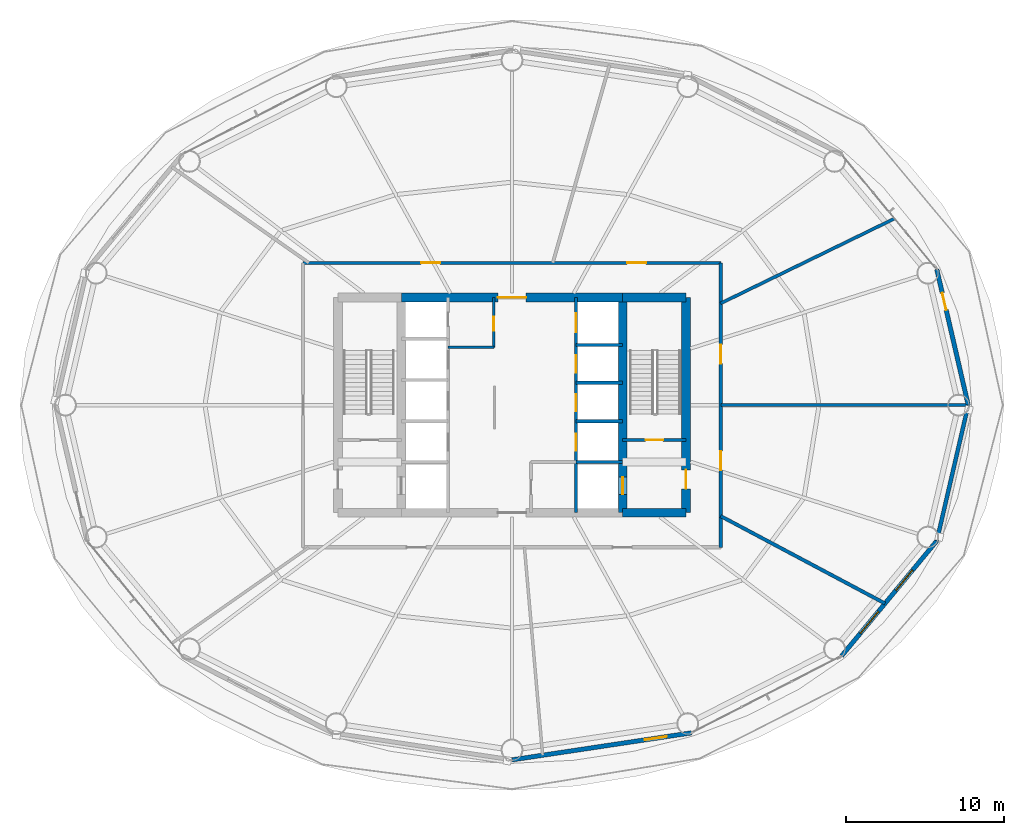
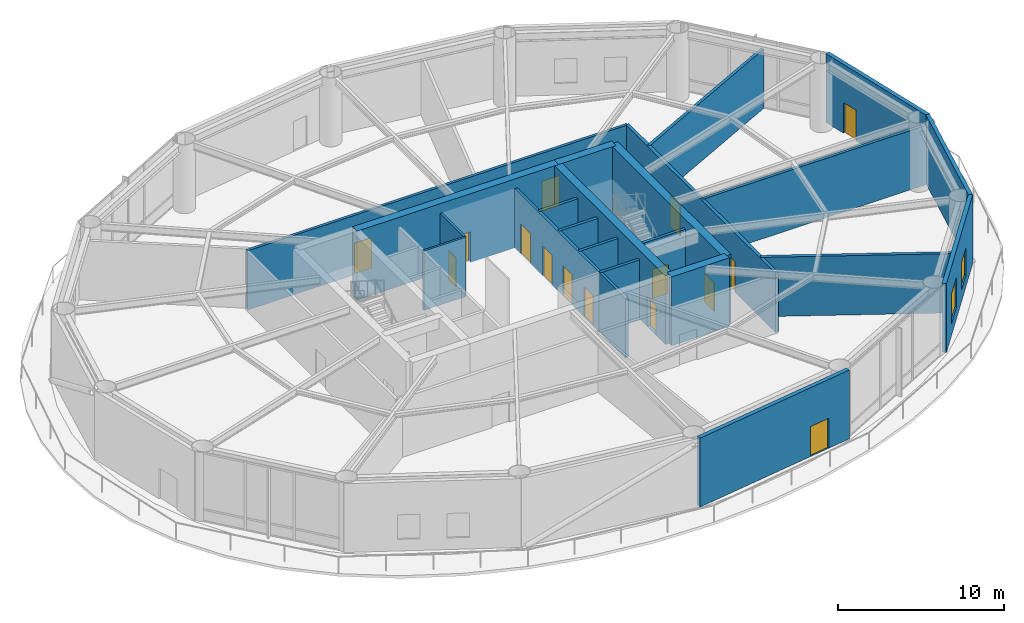
# One storey, part 21 of 25: 23 walls, 15 doors, 2 windows, 17 openings.
"""IFC4 building model written with IfcOpenShell, lengths in metres."""

from ifc_helpers import new_model, si_unit, direction, frame, frame_2d, origin, place, context, subcontext, project, spatial, rectangle, extrude, material, layer, layer_set, type_object, element, fill, save


model = new_model("IFC4")

# Units and contexts
model_context = context("Model", 3, precision=1e-05, world=origin(), true_north=direction((0.0, 1.0)))
body_context = subcontext(model_context, "Body", "Model", "MODEL_VIEW")
ifc_project = project(units=[si_unit("LENGTHUNIT", "METRE"), si_unit("AREAUNIT", "SQUARE_METRE"), si_unit("VOLUMEUNIT", "CUBIC_METRE"), si_unit("PLANEANGLEUNIT", "RADIAN"), si_unit("MASSUNIT", "GRAM", prefix="KILO")], contexts=[model_context])

# Site, building, storey
site_placement = place(None, origin())
site = spatial("IfcSite", under=ifc_project, at=site_placement, CompositionType="ELEMENT")
building_placement = place(site_placement, origin())
building = spatial("IfcBuilding", under=site, at=building_placement, Name="Sarneth Arch Tower", CompositionType="ELEMENT")
storey_placement = place(building_placement, frame((0.0, 0.0, 134.39990234375)))
storey = spatial("IfcBuildingStorey", under=building, at=storey_placement, Name="L34", CompositionType="ELEMENT", Elevation=134.39990234375)

# Wall
ifc_material_1 = material(Name="Concrete C60/75", Category="concrete")
ifc_layer_1 = layer(ifc_material_1, 0.550048828125)
ifc_layer_set_1 = layer_set([ifc_layer_1], Name="Concrete C60/75")
wall_type_1 = type_object("IfcWallType", Name="WALL-CORE-550", PredefinedType="SHEAR", material=ifc_layer_set_1)
wall_1_placement = place(storey_placement, frame((55.0, 35.199951171875, 0.0), z_axis=(0.0, 0.0, 1.0), x_axis=(1.0, 0.0, 0.0)))
element("IfcWall", 1, at=wall_1_placement, inside=storey, type_object=wall_type_1, Name="L34 Core shear wall S-E", PredefinedType="SHEAR", context=body_context, shape_type="SweptSolid", body=[
    extrude(rectangle(XDim=4.0, YDim=0.550048828125, at=frame_2d((2.0, 0.0))), origin(), (0.0, 0.0, 1.0), 5.050048828125),
])

# Wall, opening, door
wall_2_placement = place(storey_placement, frame((41.0, 48.800048828125, 0.0), z_axis=(0.0, 0.0, 1.0), x_axis=(1.0, 0.0, 0.0)))
wall_2 = element("IfcWall", 2, at=wall_2_placement, inside=storey, type_object=wall_type_1, Name="L34 Core shear wall N-M", PredefinedType="SHEAR", context=body_context, shape_type="SweptSolid", body=[
    extrude(rectangle(XDim=14.0, YDim=0.550048828125, at=frame_2d((7.0, 0.0))), origin(), (0.0, 0.0, 1.0), 5.050048828125),
])
opening_1_placement = place(wall_2_placement, frame((6.10009765625, 0.0, 0.0)))
opening_1 = element("IfcOpeningElement", 3, at=opening_1_placement, cuts=wall_2, Name="Opening FD-01", PredefinedType="OPENING", context=body_context, shape_type="SweptSolid", body=[
    extrude(rectangle(XDim=1.800048828125, YDim=2.25, at=frame_2d((0.89990234375, 1.125))), frame((0.0, 0.284912109375, 0.0), z_axis=(0.0, -1.0, 0.0), x_axis=(1.0, 0.0, 0.0)), (0.0, 0.0, 1.0), 0.570068359375),
])
ifc_material_2 = material(Name="Galvanised Steel S275 fire door set", Category="steel")
door_type_1 = type_object("IfcDoorType", Name="DR-FD90-1800", OperationType="DOUBLE_DOOR_SINGLE_SWING", PredefinedType="DOOR", material=ifc_material_2)
door_1_placement = place(opening_1_placement, origin())
door_1 = element("IfcDoor", 4, at=door_1_placement, inside=storey, type_object=door_type_1, Name="L34 Central lift lobby north door", OperationType="DOUBLE_DOOR_SINGLE_SWING", OverallHeight=2.25, OverallWidth=1.800048828125, PredefinedType="DOOR", context=body_context, shape_type="SweptSolid", body=[
    extrude(rectangle(XDim=1.800048828125, YDim=2.25, at=frame_2d((0.89990234375, 1.125))), frame((0.0, 0.02490234375, 0.0), z_axis=(0.0, -1.0, 0.0), x_axis=(1.0, 0.0, 0.0)), (0.0, 0.0, 1.0), 0.050048828125),
])
fill(opening_1, door_1)

# Wall
wall_3_placement = place(storey_placement, frame((55.0, 48.800048828125, 0.0), z_axis=(0.0, 0.0, 1.0), x_axis=(1.0, 0.0, 0.0)))
element("IfcWall", 5, at=wall_3_placement, inside=storey, type_object=wall_type_1, Name="L34 Core shear wall N-E", PredefinedType="SHEAR", context=body_context, shape_type="SweptSolid", body=[
    extrude(rectangle(XDim=4.0, YDim=0.550048828125, at=frame_2d((2.0, 0.0))), origin(), (0.0, 0.0, 1.0), 5.050048828125),
])

# Wall, opening, door
wall_4_placement = place(storey_placement, frame((59.0, 35.199951171875, 0.0), z_axis=(0.0, 0.0, 1.0), x_axis=(0.0, 1.0, 0.0)))
wall_4 = element("IfcWall", 6, at=wall_4_placement, inside=storey, type_object=wall_type_1, Name="L34 Core shear wall E", PredefinedType="SHEAR", context=body_context, shape_type="SweptSolid", body=[
    extrude(rectangle(XDim=13.60009765625, YDim=0.550048828125, at=frame_2d((6.800048828125, 0.0))), origin(), (0.0, 0.0, 1.0), 5.050048828125),
])
opening_2_placement = place(wall_4_placement, frame((1.5, 0.0, 0.0)))
opening_2 = element("IfcOpeningElement", 7, at=opening_2_placement, cuts=wall_4, Name="Opening FD-02", PredefinedType="OPENING", context=body_context, shape_type="SweptSolid", body=[
    extrude(rectangle(XDim=1.199951171875, YDim=2.14990234375, at=frame_2d((0.60009765625, 1.074951171875))), frame((0.0, 0.284912109375, 0.0), z_axis=(0.0, -1.0, 0.0), x_axis=(1.0, 0.0, 0.0)), (0.0, 0.0, 1.0), 0.570068359375),
])
ifc_material_3 = material(Name="Galvanised Steel S275 fire door set", Category="steel")
door_type_2 = type_object("IfcDoorType", Name="DR-FD90-1200", OperationType="SINGLE_SWING_LEFT", PredefinedType="DOOR", material=ifc_material_3)
door_2_placement = place(opening_2_placement, origin())
door_2 = element("IfcDoor", 8, at=door_2_placement, inside=storey, type_object=door_type_2, Name="L34 Firefighting lobby 2 exit door", OperationType="SINGLE_SWING_RIGHT", OverallHeight=2.14990234375, OverallWidth=1.199951171875, PredefinedType="DOOR", context=body_context, shape_type="SweptSolid", body=[
    extrude(rectangle(XDim=1.199951171875, YDim=2.14990234375, at=frame_2d((0.60009765625, 1.074951171875))), frame((0.0, 0.02490234375, 0.0), z_axis=(0.0, -1.0, 0.0), x_axis=(1.0, 0.0, 0.0)), (0.0, 0.0, 1.0), 0.050048828125),
])
fill(opening_2, door_2)

wall_5_placement = place(storey_placement, frame((55.0, 35.199951171875, 0.0), z_axis=(0.0, 0.0, 1.0), x_axis=(0.0, 1.0, 0.0)))
wall_5 = element("IfcWall", 9, at=wall_5_placement, inside=storey, type_object=wall_type_1, Name="L34 Core shear wall WEB-E", PredefinedType="SHEAR", context=body_context, shape_type="SweptSolid", body=[
    extrude(rectangle(XDim=13.60009765625, YDim=0.550048828125, at=frame_2d((6.800048828125, 0.0))), origin(), (0.0, 0.0, 1.0), 5.050048828125),
])
opening_3_placement = place(wall_5_placement, frame((1.14990234375, 0.0, 0.0)))
opening_3 = element("IfcOpeningElement", 10, at=opening_3_placement, cuts=wall_5, Name="Opening LD-1", PredefinedType="OPENING", context=body_context, shape_type="SweptSolid", body=[
    extrude(rectangle(XDim=1.10009765625, YDim=2.199951171875, at=frame_2d((0.550048828125, 1.10009765625))), frame((0.0, 0.284912109375, 0.0), z_axis=(0.0, -1.0, 0.0), x_axis=(1.0, 0.0, 0.0)), (0.0, 0.0, 1.0), 0.570068359375),
])
ifc_material_4 = material(Name="Brushed Stainless Steel 304 lift landing door", Category="steel")
door_type_3 = type_object("IfcDoorType", Name="DR-LIFT-SLIDE-1100", OperationType="SLIDING_TO_LEFT", PredefinedType="DOOR", material=ifc_material_4)
door_3_placement = place(opening_3_placement, origin())
door_3 = element("IfcDoor", 11, at=door_3_placement, inside=storey, type_object=door_type_3, Name="L34 Firefighting lift landing door FL-2", OperationType="SLIDING_TO_RIGHT", OverallHeight=2.199951171875, OverallWidth=1.10009765625, PredefinedType="DOOR", context=body_context, shape_type="SweptSolid", body=[
    extrude(rectangle(XDim=1.10009765625, YDim=2.199951171875, at=frame_2d((0.550048828125, 1.10009765625))), frame((0.0, 0.02490234375, 0.0), z_axis=(0.0, -1.0, 0.0), x_axis=(1.0, 0.0, 0.0)), (0.0, 0.0, 1.0), 0.050048828125),
])
fill(opening_3, door_3)

# Wall, openings, doors
ifc_material_5 = material(Name="Double steel-stud corridor fire wall", Category="steel")
ifc_layer_2 = layer(ifc_material_5, 0.18994140625)
ifc_layer_set_2 = layer_set([ifc_layer_2], Name="Double steel-stud corridor fire wall")
wall_type_2 = type_object("IfcWallType", Name="WALL-CORR-190", PredefinedType="PARTITIONING", material=ifc_layer_set_2)
wall_6_placement = place(storey_placement, frame((34.800048828125, 51.0, 0.0), z_axis=(0.0, 0.0, 1.0), x_axis=(1.0, 0.0, 0.0)))
wall_6 = element("IfcWall", 12, at=wall_6_placement, inside=storey, type_object=wall_type_2, Name="L34 Interior partition W-L34-TP-004", PredefinedType="PARTITIONING", context=body_context, shape_type="SweptSolid", body=[
    extrude(rectangle(XDim=26.39990234375, YDim=0.18994140625, at=frame_2d((13.199951171875, 0.0))), origin(), (0.0, 0.0, 1.0), 4.35009765625),
])
opening_4_placement = place(wall_6_placement, frame((7.452392578125, 0.0, 0.0)))
opening_4 = element("IfcOpeningElement", 13, at=opening_4_placement, cuts=wall_6, Name="Opening FD-06", PredefinedType="OPENING", context=body_context, shape_type="SweptSolid", body=[
    extrude(rectangle(XDim=1.199951171875, YDim=2.25, at=frame_2d((0.60009765625, 1.125))), frame((0.0, 0.10498046875, 0.0), z_axis=(0.0, -1.0, 0.0), x_axis=(1.0, 0.0, 0.0)), (0.0, 0.0, 1.0), 0.2099609375),
])
opening_5_placement = place(wall_6_placement, frame((20.4736328125, 0.0, 0.0)))
opening_5 = element("IfcOpeningElement", 14, at=opening_5_placement, cuts=wall_6, Name="Opening FD-06", PredefinedType="OPENING", context=body_context, shape_type="SweptSolid", body=[
    extrude(rectangle(XDim=1.199951171875, YDim=2.25, at=frame_2d((0.60009765625, 1.125))), frame((0.0, 0.10498046875, 0.0), z_axis=(0.0, -1.0, 0.0), x_axis=(1.0, 0.0, 0.0)), (0.0, 0.0, 1.0), 0.2099609375),
])
ifc_material_6 = material(Name="Hardwood timber acoustic fire door", Category="wood")
door_type_4 = type_object("IfcDoorType", Name="DR-FD60-1200", OperationType="SINGLE_SWING_LEFT", PredefinedType="DOOR", material=ifc_material_6)
door_4_placement = place(opening_4_placement, origin())
door_4 = element("IfcDoor", 15, at=door_4_placement, inside=storey, type_object=door_type_4, Name="L34 Interior door DR-L34-SEC-3", OperationType="SINGLE_SWING_RIGHT", OverallHeight=2.25, OverallWidth=1.199951171875, PredefinedType="DOOR", context=body_context, shape_type="SweptSolid", body=[
    extrude(rectangle(XDim=1.199951171875, YDim=2.25, at=frame_2d((0.60009765625, 1.125))), frame((0.0, 0.02490234375, 0.0), z_axis=(0.0, -1.0, 0.0), x_axis=(1.0, 0.0, 0.0)), (0.0, 0.0, 1.0), 0.050048828125),
])
fill(opening_4, door_4)
door_5_placement = place(opening_5_placement, origin())
door_5 = element("IfcDoor", 16, at=door_5_placement, inside=storey, type_object=door_type_4, Name="L34 Interior door DR-L34-SEC-2", OperationType="SINGLE_SWING_RIGHT", OverallHeight=2.25, OverallWidth=1.199951171875, PredefinedType="DOOR", context=body_context, shape_type="SweptSolid", body=[
    extrude(rectangle(XDim=1.199951171875, YDim=2.25, at=frame_2d((0.60009765625, 1.125))), frame((0.0, 0.02490234375, 0.0), z_axis=(0.0, -1.0, 0.0), x_axis=(1.0, 0.0, 0.0)), (0.0, 0.0, 1.0), 0.050048828125),
])
fill(opening_5, door_5)

# Wall
ifc_material_7 = material(Name="Extruded terracotta rainscreen on Concrete C40/50 backing", Category="masonry")
ifc_layer_3 = layer(ifc_material_7, 0.25)
ifc_layer_set_3 = layer_set([ifc_layer_3], Name="Extruded terracotta rainscreen on Concrete C40/50 backing")
wall_type_3 = type_object("IfcWallType", Name="WALL-EXT-SPAND-250", PredefinedType="SOLIDWALL", material=ifc_layer_set_3)
wall_7_placement = place(storey_placement, frame((74.861328125, 33.41650390625, 0.0), z_axis=(0.0, 0.0, 1.0), x_axis=(0.22558597182, 0.974223264616, 0.0)))
element("IfcWall", 17, at=wall_7_placement, inside=storey, type_object=wall_type_3, Name="L34 Terracotta perimeter wall 16", PredefinedType="SOLIDWALL", context=body_context, shape_type="SweptSolid", body=[
    extrude(rectangle(XDim=8.810546875, YDim=0.25, at=frame_2d((4.4052734375, 0.0))), origin(), (0.0, 0.0, 1.0), 5.050048828125),
])

# Wall, opening, door
ifc_material_8 = material(Name="Extruded terracotta rainscreen on Concrete C40/50 backing", Category="masonry")
ifc_layer_4 = layer(ifc_material_8, 0.280029296875)
ifc_layer_set_4 = layer_set([ifc_layer_4], Name="Extruded terracotta rainscreen on Concrete C40/50 backing")
wall_type_4 = type_object("IfcWallType", Name="WALL-EXT-TERRA-280", PredefinedType="SOLIDWALL", material=ifc_layer_set_4)
wall_8_placement = place(storey_placement, frame((76.848876953125, 42.0, 0.0), z_axis=(0.0, 0.0, 1.0), x_axis=(-0.22558597182, 0.974223264616, 0.0)))
wall_8 = element("IfcWall", 18, at=wall_8_placement, inside=storey, type_object=wall_type_4, Name="L34 Terracotta perimeter wall 01", PredefinedType="SOLIDWALL", context=body_context, shape_type="SweptSolid", body=[
    extrude(rectangle(XDim=8.810546875, YDim=0.280029296875, at=frame_2d((4.4052734375, 0.0))), origin(), (0.0, 0.0, 1.0), 5.050048828125),
])
opening_6_placement = place(wall_8_placement, frame((6.174560546875, 0.0, 0.0)))
opening_6 = element("IfcOpeningElement", 19, at=opening_6_placement, cuts=wall_8, Name="Opening BD-3", PredefinedType="OPENING", context=body_context, shape_type="SweptSolid", body=[
    extrude(rectangle(XDim=1.10009765625, YDim=2.25, at=frame_2d((0.550048828125, 1.125))), frame((0.0, 0.14990234375, 0.0), z_axis=(0.0, -1.0, 0.0), x_axis=(1.0, 0.0, 0.0)), (0.0, 0.0, 1.0), 0.300048828125),
])
ifc_material_9 = material(Name="Thermally broken Aluminium 6063-T6 and laminated safety glass", Category="aluminium")
door_type_5 = type_object("IfcDoorType", Name="DR-BALC-GLZ-1100", OperationType="SINGLE_SWING_LEFT", PredefinedType="DOOR", material=ifc_material_9)
door_6_placement = place(opening_6_placement, origin())
door_6 = element("IfcDoor", 20, at=door_6_placement, inside=storey, type_object=door_type_5, Name="L34 Balcony glazed door 01", OperationType="SINGLE_SWING_LEFT", OverallHeight=2.25, OverallWidth=1.10009765625, PredefinedType="DOOR", context=body_context, shape_type="SweptSolid", body=[
    extrude(rectangle(XDim=1.10009765625, YDim=2.25, at=frame_2d((0.550048828125, 1.125))), frame((0.0, 0.02490234375, 0.0), z_axis=(0.0, -1.0, 0.0), x_axis=(1.0, 0.0, 0.0)), (0.0, 0.0, 1.0), 0.050048828125),
])
fill(opening_6, door_6)

wall_9_placement = place(storey_placement, frame((48.0, 19.570068359375, 0.0), z_axis=(0.0, 0.0, 1.0), x_axis=(0.988877774656, 0.148730450117, 0.0)))
wall_9 = element("IfcWall", 21, at=wall_9_placement, inside=storey, type_object=wall_type_4, Name="L34 Terracotta perimeter wall 13", PredefinedType="SOLIDWALL", context=body_context, shape_type="SweptSolid", body=[
    extrude(rectangle(XDim=11.47900390625, YDim=0.280029296875, at=frame_2d((5.739501953125, 0.0))), origin(), (0.0, 0.0, 1.0), 5.050048828125),
])
opening_7_placement = place(wall_9_placement, frame((8.497314453125, 0.0, 0.0)))
opening_7 = element("IfcOpeningElement", 22, at=opening_7_placement, cuts=wall_9, Name="Opening BD-2", PredefinedType="OPENING", context=body_context, shape_type="SweptSolid", body=[
    extrude(rectangle(XDim=1.39990234375, YDim=2.199951171875, at=frame_2d((0.699951171875, 1.10009765625))), frame((0.0, 0.14990234375, 0.0), z_axis=(0.0, -1.0, 0.0), x_axis=(1.0, 0.0, 0.0)), (0.0, 0.0, 1.0), 0.300048828125),
])
ifc_material_10 = material(Name="Thermally broken Aluminium 6063-T6 and laminated safety glass", Category="aluminium")
door_type_6 = type_object("IfcDoorType", Name="DR-BALC-GLZ-1400", OperationType="SINGLE_SWING_LEFT", PredefinedType="DOOR", material=ifc_material_10)
door_7_placement = place(opening_7_placement, origin())
door_7 = element("IfcDoor", 23, at=door_7_placement, inside=storey, type_object=door_type_6, Name="L34 Balcony glazed door 13", OperationType="SINGLE_SWING_LEFT", OverallHeight=2.199951171875, OverallWidth=1.39990234375, PredefinedType="DOOR", context=body_context, shape_type="SweptSolid", body=[
    extrude(rectangle(XDim=1.39990234375, YDim=2.199951171875, at=frame_2d((0.699951171875, 1.10009765625))), frame((0.0, 0.02490234375, 0.0), z_axis=(0.0, -1.0, 0.0), x_axis=(1.0, 0.0, 0.0)), (0.0, 0.0, 1.0), 0.050048828125),
])
fill(opening_7, door_7)

# Wall, openings, windows
wall_10_placement = place(storey_placement, frame((68.840087890625, 26.1396484375, 0.0), z_axis=(0.0, 0.0, 1.0), x_axis=(0.637505817448, 0.770445541696, 0.0)))
wall_10 = element("IfcWall", 24, at=wall_10_placement, inside=storey, type_object=wall_type_4, Name="L34 Terracotta perimeter wall 15", PredefinedType="SOLIDWALL", context=body_context, shape_type="SweptSolid", body=[
    extrude(rectangle(XDim=9.445068359375, YDim=0.280029296875, at=frame_2d((4.72265625, 0.0))), origin(), (0.0, 0.0, 1.0), 5.050048828125),
])
opening_8_placement = place(wall_10_placement, frame((1.859619140625, 0.0, 0.85009765625)))
opening_8 = element("IfcOpeningElement", 25, at=opening_8_placement, cuts=wall_10, Name="Opening W-04", PredefinedType="OPENING", context=body_context, shape_type="SweptSolid", body=[
    extrude(rectangle(XDim=1.800048828125, YDim=2.199951171875, at=frame_2d((0.89990234375, 1.10009765625))), frame((0.0, 0.14990234375, 0.0), z_axis=(0.0, -1.0, 0.0), x_axis=(1.0, 0.0, 0.0)), (0.0, 0.0, 1.0), 0.300048828125),
])
opening_9_placement = place(wall_10_placement, frame((5.3876953125, 0.0, 0.85009765625)))
opening_9 = element("IfcOpeningElement", 26, at=opening_9_placement, cuts=wall_10, Name="Opening W-05", PredefinedType="OPENING", context=body_context, shape_type="SweptSolid", body=[
    extrude(rectangle(XDim=1.64990234375, YDim=2.0, at=frame_2d((0.824951171875, 1.0))), frame((0.0, 0.14990234375, 0.0), z_axis=(0.0, -1.0, 0.0), x_axis=(1.0, 0.0, 0.0)), (0.0, 0.0, 1.0), 0.300048828125),
])
ifc_material_11 = material(Name="Thermally broken Aluminium 6063-T6 and low-e laminated IGU", Category="aluminium")
window_type_1 = type_object("IfcWindowType", Name="WIN-TWR-1650x2000", PartitioningType="DOUBLE_PANEL_VERTICAL", PredefinedType="WINDOW", material=ifc_material_11)
window_1_placement = place(opening_9_placement, origin())
window_1 = element("IfcWindow", 27, at=window_1_placement, inside=storey, type_object=window_type_1, Name="L34 Exterior window 15B", OverallHeight=2.0, OverallWidth=1.64990234375, PartitioningType="SINGLE_PANEL", PredefinedType="WINDOW", context=body_context, shape_type="SweptSolid", body=[
    extrude(rectangle(XDim=1.64990234375, YDim=2.0, at=frame_2d((0.824951171875, 1.0))), frame((0.0, 0.030029296875, 0.0), z_axis=(0.0, -1.0, 0.0), x_axis=(1.0, 0.0, 0.0)), (0.0, 0.0, 1.0), 0.06005859375),
])
fill(opening_9, window_1)
ifc_material_12 = material(Name="Thermally broken Aluminium 6063-T6 and low-e laminated IGU", Category="aluminium")
window_type_2 = type_object("IfcWindowType", Name="WIN-TWR-1800x2200", PartitioningType="DOUBLE_PANEL_VERTICAL", PredefinedType="WINDOW", material=ifc_material_12)
window_2_placement = place(opening_8_placement, origin())
window_2 = element("IfcWindow", 28, at=window_2_placement, inside=storey, type_object=window_type_2, Name="L34 Exterior window 15A", OverallHeight=2.199951171875, OverallWidth=1.800048828125, PartitioningType="SINGLE_PANEL", PredefinedType="WINDOW", context=body_context, shape_type="SweptSolid", body=[
    extrude(rectangle(XDim=1.800048828125, YDim=2.199951171875, at=frame_2d((0.89990234375, 1.10009765625))), frame((0.0, 0.030029296875, 0.0), z_axis=(0.0, -1.0, 0.0), x_axis=(1.0, 0.0, 0.0)), (0.0, 0.0, 1.0), 0.06005859375),
])
fill(opening_8, window_2)

# Wall
ifc_material_13 = material(Name="Aerated concrete blockwork C25/30", Category="masonry")
ifc_layer_5 = layer(ifc_material_13, 0.219970703125)
ifc_layer_set_5 = layer_set([ifc_layer_5], Name="Aerated concrete blockwork C25/30")
wall_type_5 = type_object("IfcWallType", Name="WALL-FIRE-220", PredefinedType="SOLIDWALL", material=ifc_layer_set_5)
wall_11_placement = place(storey_placement, frame((61.199951171875, 34.9814453125, 0.0), z_axis=(0.0, 0.0, 1.0), x_axis=(0.88294798911, -0.469470817545, 0.0)))
element("IfcWall", 29, at=wall_11_placement, inside=storey, type_object=wall_type_5, Name="L34 Interior partition W-L34-TP-018", PredefinedType="SOLIDWALL", context=body_context, shape_type="SweptSolid", body=[
    extrude(rectangle(XDim=11.763671875, YDim=0.219970703125, at=frame_2d((5.8818359375, 0.0))), origin(), (0.0, 0.0, 1.0), 4.35009765625),
])

# Wall, openings, doors
wall_12_placement = place(storey_placement, frame((61.199951171875, 51.0, 0.0), z_axis=(0.0, 0.0, 1.0), x_axis=(0.0, -1.0, 0.0)))
wall_12 = element("IfcWall", 30, at=wall_12_placement, inside=storey, type_object=wall_type_5, Name="L34 Interior partition W-L34-TP-011", PredefinedType="SOLIDWALL", context=body_context, shape_type="SweptSolid", body=[
    extrude(rectangle(XDim=18.0, YDim=0.219970703125, at=frame_2d((9.0, 0.0))), origin(), (0.0, 0.0, 1.0), 4.35009765625),
])
opening_10_placement = place(wall_12_placement, frame((11.911376953125, 0.0, 0.0)))
opening_10 = element("IfcOpeningElement", 31, at=opening_10_placement, cuts=wall_12, Name="Opening FD-06", PredefinedType="OPENING", context=body_context, shape_type="SweptSolid", body=[
    extrude(rectangle(XDim=1.199951171875, YDim=2.25, at=frame_2d((0.60009765625, 1.125))), frame((0.0, 0.119873046875, 0.0), z_axis=(0.0, -1.0, 0.0), x_axis=(1.0, 0.0, 0.0)), (0.0, 0.0, 1.0), 0.239990234375),
])
opening_11_placement = place(wall_12_placement, frame((5.17919921875, 0.0, 0.0)))
opening_11 = element("IfcOpeningElement", 32, at=opening_11_placement, cuts=wall_12, Name="Opening FD-06", PredefinedType="OPENING", context=body_context, shape_type="SweptSolid", body=[
    extrude(rectangle(XDim=1.199951171875, YDim=2.25, at=frame_2d((0.60009765625, 1.125))), frame((0.0, 0.119873046875, 0.0), z_axis=(0.0, -1.0, 0.0), x_axis=(1.0, 0.0, 0.0)), (0.0, 0.0, 1.0), 0.239990234375),
])
door_8_placement = place(opening_10_placement, origin())
door_8 = element("IfcDoor", 33, at=door_8_placement, inside=storey, type_object=door_type_4, Name="L34 Interior door DR-L34-SEC-7", OperationType="SINGLE_SWING_LEFT", OverallHeight=2.25, OverallWidth=1.199951171875, PredefinedType="DOOR", context=body_context, shape_type="SweptSolid", body=[
    extrude(rectangle(XDim=1.199951171875, YDim=2.25, at=frame_2d((0.60009765625, 1.125))), frame((0.0, 0.02490234375, 0.0), z_axis=(0.0, -1.0, 0.0), x_axis=(1.0, 0.0, 0.0)), (0.0, 0.0, 1.0), 0.050048828125),
])
fill(opening_10, door_8)
door_9_placement = place(opening_11_placement, origin())
door_9 = element("IfcDoor", 34, at=door_9_placement, inside=storey, type_object=door_type_4, Name="L34 Interior door DR-L34-SEC-1", OperationType="SINGLE_SWING_LEFT", OverallHeight=2.25, OverallWidth=1.199951171875, PredefinedType="DOOR", context=body_context, shape_type="SweptSolid", body=[
    extrude(rectangle(XDim=1.199951171875, YDim=2.25, at=frame_2d((0.60009765625, 1.125))), frame((0.0, 0.02490234375, 0.0), z_axis=(0.0, -1.0, 0.0), x_axis=(1.0, 0.0, 0.0)), (0.0, 0.0, 1.0), 0.050048828125),
])
fill(opening_11, door_9)

# Wall
ifc_material_14 = material(Name="Acoustic gypsum stud partition", Category="gypsum")
ifc_layer_6 = layer(ifc_material_14, 0.14990234375)
ifc_layer_set_6 = layer_set([ifc_layer_6], Name="Acoustic gypsum stud partition")
wall_type_6 = type_object("IfcWallType", Name="WALL-PART-150", PredefinedType="PARTITIONING", material=ifc_layer_set_6)
wall_13_placement = place(storey_placement, frame((43.949951171875, 45.64990234375, 0.0), z_axis=(0.0, 0.0, 1.0), x_axis=(1.0, 0.0, 0.0)))
element("IfcWall", 35, at=wall_13_placement, inside=storey, type_object=wall_type_6, Name="L34 Interior partition W-L34-CSUP1-S", PredefinedType="PARTITIONING", context=body_context, shape_type="SweptSolid", body=[
    extrude(rectangle(XDim=2.900146484375, YDim=0.14990234375, at=frame_2d((1.4501953125, 0.0))), origin(), (0.0, 0.0, 1.0), 4.35009765625),
])

# Wall, opening, door
wall_14_placement = place(storey_placement, frame((46.85009765625, 45.64990234375, 0.0), z_axis=(0.0, 0.0, 1.0), x_axis=(0.0, 1.0, 0.0)))
wall_14 = element("IfcWall", 36, at=wall_14_placement, inside=storey, type_object=wall_type_6, Name="L34 Interior partition W-L34-CSUP1-E", PredefinedType="PARTITIONING", context=body_context, shape_type="SweptSolid", body=[
    extrude(rectangle(XDim=3.150146484375, YDim=0.14990234375, at=frame_2d((1.5751953125, 0.0))), origin(), (0.0, 0.0, 1.0), 4.35009765625),
])
opening_12_placement = place(wall_14_placement, frame((1.050048828125, 0.0, 0.0)))
opening_12 = element("IfcOpeningElement", 37, at=opening_12_placement, cuts=wall_14, Name="Opening FD-10", PredefinedType="OPENING", context=body_context, shape_type="SweptSolid", body=[
    extrude(rectangle(XDim=0.89990234375, YDim=2.14990234375, at=frame_2d((0.449951171875, 1.074951171875))), frame((0.0, 0.0849609375, 0.0), z_axis=(0.0, -1.0, 0.0), x_axis=(1.0, 0.0, 0.0)), (0.0, 0.0, 1.0), 0.169921875),
])
ifc_material_15 = material(Name="Galvanised Steel S275 riser/service fire door", Category="steel")
door_type_7 = type_object("IfcDoorType", Name="DR-FD60-900", OperationType="SINGLE_SWING_LEFT", PredefinedType="DOOR", material=ifc_material_15)
door_10_placement = place(opening_12_placement, origin())
door_10 = element("IfcDoor", 38, at=door_10_placement, inside=storey, type_object=door_type_7, Name="L34 Interior door DR-L34-CSUP1", OperationType="SINGLE_SWING_LEFT", OverallHeight=2.14990234375, OverallWidth=0.89990234375, PredefinedType="DOOR", context=body_context, shape_type="SweptSolid", body=[
    extrude(rectangle(XDim=0.89990234375, YDim=2.14990234375, at=frame_2d((0.449951171875, 1.074951171875))), frame((0.0, 0.02490234375, 0.0), z_axis=(0.0, -1.0, 0.0), x_axis=(1.0, 0.0, 0.0)), (0.0, 0.0, 1.0), 0.050048828125),
])
fill(opening_12, door_10)

ifc_material_16 = material(Name="Aerated concrete blockwork C25/30", Category="masonry")
ifc_layer_7 = layer(ifc_material_16, 0.199951171875)
ifc_layer_set_7 = layer_set([ifc_layer_7], Name="Aerated concrete blockwork C25/30")
wall_type_7 = type_object("IfcWallType", Name="WALL-SHAFT-200", PredefinedType="SOLIDWALL", material=ifc_layer_set_7)
wall_15_placement = place(storey_placement, frame((55.0, 39.800048828125, 0.0), z_axis=(0.0, 0.0, 1.0), x_axis=(1.0, 0.0, 0.0)))
wall_15 = element("IfcWall", 39, at=wall_15_placement, inside=storey, type_object=wall_type_7, Name="L34 Interior partition W-L34-ST2-S", PredefinedType="SOLIDWALL", context=body_context, shape_type="SweptSolid", body=[
    extrude(rectangle(XDim=4.0, YDim=0.199951171875, at=frame_2d((2.0, 0.0))), origin(), (0.0, 0.0, 1.0), 4.35009765625),
])
opening_13_placement = place(wall_15_placement, frame((1.449951171875, 0.0, 0.0)))
opening_13 = element("IfcOpeningElement", 40, at=opening_13_placement, cuts=wall_15, Name="Opening FD-03", PredefinedType="OPENING", context=body_context, shape_type="SweptSolid", body=[
    extrude(rectangle(XDim=1.10009765625, YDim=2.14990234375, at=frame_2d((0.550048828125, 1.074951171875))), frame((0.0, 0.10986328125, 0.0), z_axis=(0.0, -1.0, 0.0), x_axis=(1.0, 0.0, 0.0)), (0.0, 0.0, 1.0), 0.219970703125),
])
ifc_material_17 = material(Name="Galvanised Steel S275 fire door set", Category="steel")
door_type_8 = type_object("IfcDoorType", Name="DR-FD90-1100", OperationType="SINGLE_SWING_LEFT", PredefinedType="DOOR", material=ifc_material_17)
door_11_placement = place(opening_13_placement, origin())
door_11 = element("IfcDoor", 41, at=door_11_placement, inside=storey, type_object=door_type_8, Name="L34 Interior door DR-L34-ST2", OperationType="SINGLE_SWING_RIGHT", OverallHeight=2.14990234375, OverallWidth=1.10009765625, PredefinedType="DOOR", context=body_context, shape_type="SweptSolid", body=[
    extrude(rectangle(XDim=1.10009765625, YDim=2.14990234375, at=frame_2d((0.550048828125, 1.074951171875))), frame((0.0, 0.02490234375, 0.0), z_axis=(0.0, -1.0, 0.0), x_axis=(1.0, 0.0, 0.0)), (0.0, 0.0, 1.0), 0.050048828125),
])
fill(opening_13, door_11)

# Walls
wall_16_placement = place(storey_placement, frame((52.050048828125, 35.199951171875, 0.0), z_axis=(0.0, 0.0, 1.0), x_axis=(0.0, 1.0, 0.0)))
element("IfcWall", 42, at=wall_16_placement, inside=storey, type_object=wall_type_7, Name="L34 Interior partition W-L34-FL2-W", PredefinedType="SOLIDWALL", context=body_context, shape_type="SweptSolid", body=[
    extrude(rectangle(XDim=3.199951171875, YDim=0.199951171875, at=frame_2d((1.60009765625, 0.0))), origin(), (0.0, 0.0, 1.0), 4.35009765625),
])
wall_17_placement = place(storey_placement, frame((52.050048828125, 38.39990234375, 0.0), z_axis=(0.0, 0.0, 1.0), x_axis=(1.0, 0.0, 0.0)))
element("IfcWall", 43, at=wall_17_placement, inside=storey, type_object=wall_type_7, Name="L34 Interior partition W-L34-FL2-N", PredefinedType="SOLIDWALL", context=body_context, shape_type="SweptSolid", body=[
    extrude(rectangle(XDim=2.949951171875, YDim=0.199951171875, at=frame_2d((1.47509765625, 0.0))), origin(), (0.0, 0.0, 1.0), 4.35009765625),
])

# Wall, openings, doors
wall_18_placement = place(storey_placement, frame((52.050048828125, 38.39990234375, 0.0), z_axis=(0.0, 0.0, 1.0), x_axis=(0.0, 1.0, 0.0)))
wall_18 = element("IfcWall", 44, at=wall_18_placement, inside=storey, type_object=wall_type_7, Name="L34 Interior partition W-L34-EASTBANK-FRONT", PredefinedType="SOLIDWALL", context=body_context, shape_type="SweptSolid", body=[
    extrude(rectangle(XDim=10.400146484375, YDim=0.199951171875, at=frame_2d((5.2001953125, 0.0))), origin(), (0.0, 0.0, 1.0), 4.35009765625),
])
opening_14_placement = place(wall_18_placement, frame((0.699951171875, 0.0, 0.0)))
opening_14 = element("IfcOpeningElement", 45, at=opening_14_placement, cuts=wall_18, Name="Opening LD-1", PredefinedType="OPENING", context=body_context, shape_type="SweptSolid", body=[
    extrude(rectangle(XDim=1.10009765625, YDim=2.199951171875, at=frame_2d((0.550048828125, 1.10009765625))), frame((0.0, 0.10986328125, 0.0), z_axis=(0.0, -1.0, 0.0), x_axis=(1.0, 0.0, 0.0)), (0.0, 0.0, 1.0), 0.219970703125),
])
opening_15_placement = place(wall_18_placement, frame((3.199951171875, 0.0, 0.0)))
opening_15 = element("IfcOpeningElement", 46, at=opening_15_placement, cuts=wall_18, Name="Opening LD-1", PredefinedType="OPENING", context=body_context, shape_type="SweptSolid", body=[
    extrude(rectangle(XDim=1.10009765625, YDim=2.199951171875, at=frame_2d((0.550048828125, 1.10009765625))), frame((0.0, 0.10986328125, 0.0), z_axis=(0.0, -1.0, 0.0), x_axis=(1.0, 0.0, 0.0)), (0.0, 0.0, 1.0), 0.219970703125),
])
opening_16_placement = place(wall_18_placement, frame((5.64990234375, 0.0, 0.0)))
opening_16 = element("IfcOpeningElement", 47, at=opening_16_placement, cuts=wall_18, Name="Opening LD-1", PredefinedType="OPENING", context=body_context, shape_type="SweptSolid", body=[
    extrude(rectangle(XDim=1.10009765625, YDim=2.199951171875, at=frame_2d((0.550048828125, 1.10009765625))), frame((0.0, 0.10986328125, 0.0), z_axis=(0.0, -1.0, 0.0), x_axis=(1.0, 0.0, 0.0)), (0.0, 0.0, 1.0), 0.219970703125),
])
opening_17_placement = place(wall_18_placement, frame((8.199951171875, 0.0, 0.0)))
opening_17 = element("IfcOpeningElement", 48, at=opening_17_placement, cuts=wall_18, Name="Opening LD-2", PredefinedType="OPENING", context=body_context, shape_type="SweptSolid", body=[
    extrude(rectangle(XDim=1.199951171875, YDim=2.199951171875, at=frame_2d((0.60009765625, 1.10009765625))), frame((0.0, 0.10986328125, 0.0), z_axis=(0.0, -1.0, 0.0), x_axis=(1.0, 0.0, 0.0)), (0.0, 0.0, 1.0), 0.219970703125),
])
door_12_placement = place(opening_14_placement, origin())
door_12 = element("IfcDoor", 49, at=door_12_placement, inside=storey, type_object=door_type_3, Name="L34 Lift landing door DR-L34-LD-PM2", OperationType="SLIDING_TO_LEFT", OverallHeight=2.199951171875, OverallWidth=1.10009765625, PredefinedType="DOOR", context=body_context, shape_type="SweptSolid", body=[
    extrude(rectangle(XDim=1.10009765625, YDim=2.199951171875, at=frame_2d((0.550048828125, 1.10009765625))), frame((0.0, 0.02490234375, 0.0), z_axis=(0.0, -1.0, 0.0), x_axis=(1.0, 0.0, 0.0)), (0.0, 0.0, 1.0), 0.050048828125),
])
fill(opening_14, door_12)
door_13_placement = place(opening_15_placement, origin())
door_13 = element("IfcDoor", 50, at=door_13_placement, inside=storey, type_object=door_type_3, Name="L34 Lift landing door DR-L34-LD-PH1", OperationType="SLIDING_TO_RIGHT", OverallHeight=2.199951171875, OverallWidth=1.10009765625, PredefinedType="DOOR", context=body_context, shape_type="SweptSolid", body=[
    extrude(rectangle(XDim=1.10009765625, YDim=2.199951171875, at=frame_2d((0.550048828125, 1.10009765625))), frame((0.0, 0.02490234375, 0.0), z_axis=(0.0, -1.0, 0.0), x_axis=(1.0, 0.0, 0.0)), (0.0, 0.0, 1.0), 0.050048828125),
])
fill(opening_15, door_13)
door_14_placement = place(opening_16_placement, origin())
door_14 = element("IfcDoor", 51, at=door_14_placement, inside=storey, type_object=door_type_3, Name="L34 Lift landing door DR-L34-LD-PH2", OperationType="SLIDING_TO_LEFT", OverallHeight=2.199951171875, OverallWidth=1.10009765625, PredefinedType="DOOR", context=body_context, shape_type="SweptSolid", body=[
    extrude(rectangle(XDim=1.10009765625, YDim=2.199951171875, at=frame_2d((0.550048828125, 1.10009765625))), frame((0.0, 0.02490234375, 0.0), z_axis=(0.0, -1.0, 0.0), x_axis=(1.0, 0.0, 0.0)), (0.0, 0.0, 1.0), 0.050048828125),
])
fill(opening_16, door_14)
ifc_material_18 = material(Name="Brushed Stainless Steel 304 service lift door", Category="steel")
door_type_9 = type_object("IfcDoorType", Name="DR-LIFT-SLIDE-1200", OperationType="SLIDING_TO_RIGHT", PredefinedType="DOOR", material=ifc_material_18)
door_15_placement = place(opening_17_placement, origin())
door_15 = element("IfcDoor", 52, at=door_15_placement, inside=storey, type_object=door_type_9, Name="L34 Lift landing door DR-L34-LD-SL1", OperationType="SLIDING_TO_RIGHT", OverallHeight=2.199951171875, OverallWidth=1.199951171875, PredefinedType="DOOR", context=body_context, shape_type="SweptSolid", body=[
    extrude(rectangle(XDim=1.199951171875, YDim=2.199951171875, at=frame_2d((0.60009765625, 1.10009765625))), frame((0.0, 0.02490234375, 0.0), z_axis=(0.0, -1.0, 0.0), x_axis=(1.0, 0.0, 0.0)), (0.0, 0.0, 1.0), 0.050048828125),
])
fill(opening_17, door_15)

# Walls
for number, where, z_axis, x_axis, name in (
    (53, (52.050048828125, 40.97998046875, 0.0), (0.0, 0.0, 1.0), (1.0, 0.0, 0.0), "L34 Interior partition W-L34-EB-DIV-4098"),
    (54, (52.050048828125, 43.419921875, 0.0), (0.0, 0.0, 1.0), (1.0, 0.0, 0.0), "L34 Interior partition W-L34-EB-DIV-4342"),
    (55, (52.050048828125, 45.800048828125, 0.0), (0.0, 0.0, 1.0), (1.0, 0.0, 0.0), "L34 Interior partition W-L34-EB-DIV-4580"),
):
    element("IfcWall", number, at=place(storey_placement, frame(where, z_axis=z_axis, x_axis=x_axis)), inside=storey, type_object=wall_type_7, Name=name, PredefinedType="SOLIDWALL", context=body_context, shape_type="SweptSolid", body=[
        extrude(rectangle(XDim=2.949951171875, YDim=0.199951171875, at=frame_2d((1.47509765625, 0.0))), origin(), (0.0, 0.0, 1.0), 4.35009765625),
    ])
ifc_material_19 = material(Name="Double steel-stud acoustic drywall", Category="steel")
ifc_layer_8 = layer(ifc_material_19, 0.199951171875)
ifc_layer_set_8 = layer_set([ifc_layer_8], Name="Double steel-stud acoustic drywall")
wall_type_8 = type_object("IfcWallType", Name="WALL-UNIT-200", PredefinedType="PARTITIONING", material=ifc_layer_set_8)
wall_19_placement = place(storey_placement, frame((76.84912109375, 42.0, 0.0), z_axis=(0.0, 0.0, 1.0), x_axis=(-1.0, 0.0, 0.0)))
element("IfcWall", 56, at=wall_19_placement, inside=storey, type_object=wall_type_8, Name="L34 Interior partition W-L34-TP-013", PredefinedType="PARTITIONING", context=body_context, shape_type="SweptSolid", body=[
    extrude(rectangle(XDim=15.649169921875, YDim=0.199951171875, at=frame_2d((7.82470703125, 0.0))), origin(), (0.0, 0.0, 1.0), 4.35009765625),
])
wall_20_placement = place(storey_placement, frame((72.197998046875, 53.80224609375, 0.0), z_axis=(0.0, 0.0, 1.0), x_axis=(-0.898789153873, -0.438381177608, 0.0)))
element("IfcWall", 57, at=wall_20_placement, inside=storey, type_object=wall_type_8, Name="L34 Interior partition W-L34-TP-012", PredefinedType="PARTITIONING", context=body_context, shape_type="SweptSolid", body=[
    extrude(rectangle(XDim=12.236572265625, YDim=0.199951171875, at=frame_2d((6.1181640625, 0.0))), origin(), (0.0, 0.0, 1.0), 4.35009765625),
])

save(model, "model.ifc")
